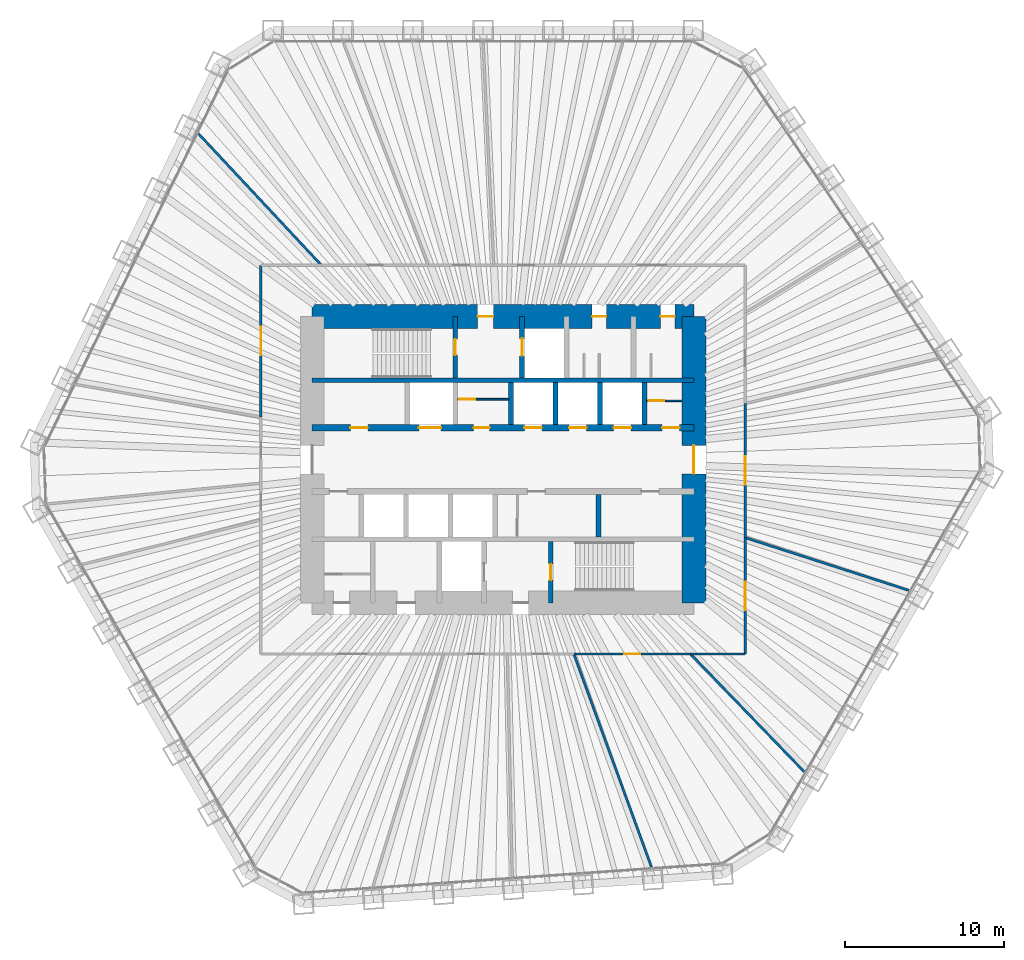
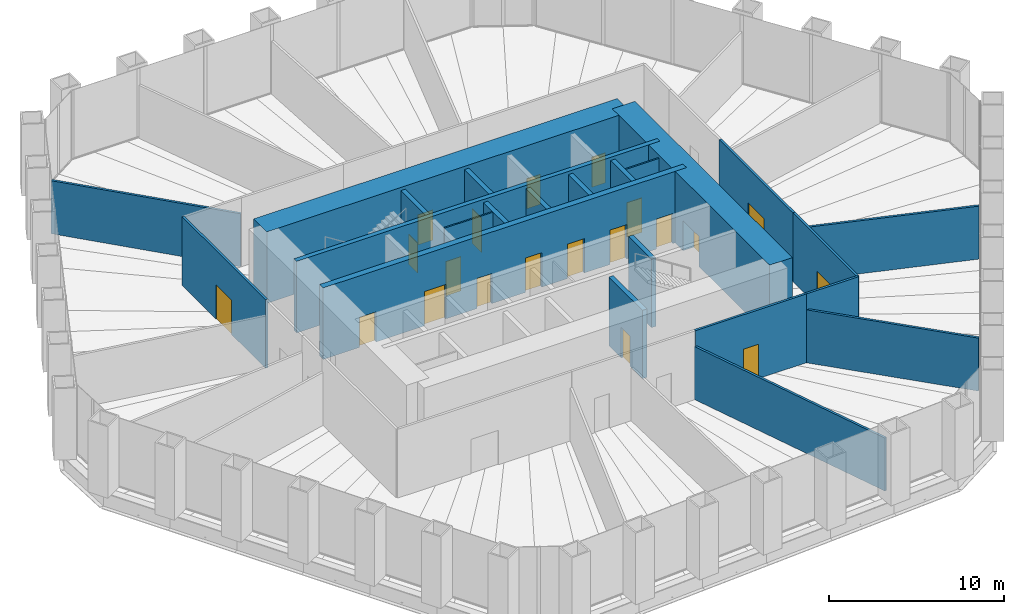
# One storey, part 11 of 13: 23 walls, 20 doors, 20 openings.
"""IFC4 building model written with IfcOpenShell, lengths in metres."""

from ifc_helpers import new_model, si_unit, direction, frame, frame_2d, origin, place, context, subcontext, project, spatial, rectangle, extrude, material, layer, layer_set, type_object, element, fill, save


model = new_model("IFC4")

# Units and contexts
model_context = context("Model", 3, precision=1e-05, world=origin(), true_north=direction((0.0, 1.0)))
body_context = subcontext(model_context, "Body", "Model", "MODEL_VIEW")
ifc_project = project(units=[si_unit("LENGTHUNIT", "METRE"), si_unit("AREAUNIT", "SQUARE_METRE"), si_unit("VOLUMEUNIT", "CUBIC_METRE"), si_unit("PLANEANGLEUNIT", "RADIAN"), si_unit("MASSUNIT", "GRAM", prefix="KILO")], contexts=[model_context])

# Site, building, storey
site_placement = place(None, origin())
site = spatial("IfcSite", under=ifc_project, at=site_placement, CompositionType="ELEMENT")
building_placement = place(site_placement, origin())
building = spatial("IfcBuilding", under=site, at=building_placement, Name="Qingtian Harvest Tower", CompositionType="ELEMENT")
storey_placement = place(building_placement, frame((0.0, 0.0, 27.0)))
storey = spatial("IfcBuildingStorey", under=building, at=storey_placement, Name="L05", CompositionType="ELEMENT", Elevation=27.0)

# Wall
ifc_material_1 = material(Name="Concrete fc' 70 MPa", Category="concrete")
ifc_layer_1 = layer(ifc_material_1, 0.300048828125)
ifc_layer_set_1 = layer_set([ifc_layer_1], Name="Core inner wall RC5 300")
wall_type_1 = type_object("IfcWallType", Name="Core inner wall RC5 300", PredefinedType="SHEAR", material=ifc_layer_set_1)
wall_1_placement = place(storey_placement, frame((-12.0, 5.0, 0.0), z_axis=(0.0, 0.0, 1.0), x_axis=(1.0, 0.0, 0.0)))
element("IfcWall", 1, at=wall_1_placement, inside=storey, type_object=wall_type_1, Name="Core wall IN5 L05", PredefinedType="SHEAR", context=body_context, shape_type="SweptSolid", body=[
    extrude(rectangle(XDim=24.0, YDim=0.300048828125, at=frame_2d((12.0, 0.0))), origin(), (0.0, 0.0, 1.0), 5.0),
])

# Wall, openings, doors
ifc_material_2 = material(Name="Concrete fc' 70 MPa", Category="concrete")
ifc_layer_2 = layer(ifc_material_2, 0.39990234375)
ifc_layer_set_2 = layer_set([ifc_layer_2], Name="Core inner web RC6 400")
wall_type_2 = type_object("IfcWallType", Name="Core inner web RC6 400", PredefinedType="SHEAR", material=ifc_layer_set_2)
wall_2_placement = place(storey_placement, frame((-12.0, 2.0, 0.0), z_axis=(0.0, 0.0, 1.0), x_axis=(1.0, 0.0, 0.0)))
wall_2 = element("IfcWall", 2, at=wall_2_placement, inside=storey, type_object=wall_type_2, Name="Core wall IN2 L05", PredefinedType="SHEAR", context=body_context, shape_type="SweptSolid", body=[
    extrude(rectangle(XDim=24.0, YDim=0.39990234375, at=frame_2d((12.0, 0.0))), origin(), (0.0, 0.0, 1.0), 5.0),
])
opening_1_placement = place(wall_2_placement, frame((2.39990234375, 0.0, 0.0)))
opening_1 = element("IfcOpeningElement", 3, at=opening_1_placement, cuts=wall_2, Name="Opening FD4", PredefinedType="OPENING", context=body_context, shape_type="SweptSolid", body=[
    extrude(rectangle(XDim=1.10009765625, YDim=2.10009765625, at=frame_2d((0.550048828125, 1.050048828125))), frame((0.0, 0.2099609375, 0.0), z_axis=(0.0, -1.0, 0.0), x_axis=(1.0, 0.0, 0.0)), (0.0, 0.0, 1.0), 0.419921875),
])
opening_2_placement = place(wall_2_placement, frame((22.0, 0.0, 0.0)))
opening_2 = element("IfcOpeningElement", 4, at=opening_2_placement, cuts=wall_2, Name="Opening FD4", PredefinedType="OPENING", context=body_context, shape_type="SweptSolid", body=[
    extrude(rectangle(XDim=1.10009765625, YDim=2.10009765625, at=frame_2d((0.550048828125, 1.050048828125))), frame((0.0, 0.2099609375, 0.0), z_axis=(0.0, -1.0, 0.0), x_axis=(1.0, 0.0, 0.0)), (0.0, 0.0, 1.0), 0.419921875),
])
opening_3_placement = place(wall_2_placement, frame((10.14990234375, 0.0, 0.0)))
opening_3 = element("IfcOpeningElement", 5, at=opening_3_placement, cuts=wall_2, Name="Opening FD1", PredefinedType="OPENING", context=body_context, shape_type="SweptSolid", body=[
    extrude(rectangle(XDim=1.0, YDim=2.10009765625, at=frame_2d((0.5, 1.050048828125))), frame((0.0, 0.2099609375, 0.0), z_axis=(0.0, -1.0, 0.0), x_axis=(1.0, 0.0, 0.0)), (0.0, 0.0, 1.0), 0.419921875),
])
opening_4_placement = place(wall_2_placement, frame((6.699951171875, 0.0, 0.0)))
opening_4 = element("IfcOpeningElement", 6, at=opening_4_placement, cuts=wall_2, Name="Opening LD2", PredefinedType="OPENING", context=body_context, shape_type="SweptSolid", body=[
    extrude(rectangle(XDim=1.39990234375, YDim=2.39990234375, at=frame_2d((0.699951171875, 1.199951171875))), frame((0.0, 0.2099609375, 0.0), z_axis=(0.0, -1.0, 0.0), x_axis=(1.0, 0.0, 0.0)), (0.0, 0.0, 1.0), 0.419921875),
])
opening_5_placement = place(wall_2_placement, frame((13.35009765625, 0.0, 0.0)))
opening_5 = element("IfcOpeningElement", 7, at=opening_5_placement, cuts=wall_2, Name="Opening LD1", PredefinedType="OPENING", context=body_context, shape_type="SweptSolid", body=[
    extrude(rectangle(XDim=1.10009765625, YDim=2.39990234375, at=frame_2d((0.550048828125, 1.199951171875))), frame((0.0, 0.2099609375, 0.0), z_axis=(0.0, -1.0, 0.0), x_axis=(1.0, 0.0, 0.0)), (0.0, 0.0, 1.0), 0.419921875),
])
opening_6_placement = place(wall_2_placement, frame((16.14990234375, 0.0, 0.0)))
opening_6 = element("IfcOpeningElement", 8, at=opening_6_placement, cuts=wall_2, Name="Opening LD1", PredefinedType="OPENING", context=body_context, shape_type="SweptSolid", body=[
    extrude(rectangle(XDim=1.10009765625, YDim=2.39990234375, at=frame_2d((0.550048828125, 1.199951171875))), frame((0.0, 0.2099609375, 0.0), z_axis=(0.0, -1.0, 0.0), x_axis=(1.0, 0.0, 0.0)), (0.0, 0.0, 1.0), 0.419921875),
])
opening_7_placement = place(wall_2_placement, frame((18.949951171875, 0.0, 0.0)))
opening_7 = element("IfcOpeningElement", 9, at=opening_7_placement, cuts=wall_2, Name="Opening LD1", PredefinedType="OPENING", context=body_context, shape_type="SweptSolid", body=[
    extrude(rectangle(XDim=1.10009765625, YDim=2.39990234375, at=frame_2d((0.550048828125, 1.199951171875))), frame((0.0, 0.2099609375, 0.0), z_axis=(0.0, -1.0, 0.0), x_axis=(1.0, 0.0, 0.0)), (0.0, 0.0, 1.0), 0.419921875),
])
ifc_material_3 = material(Name="Steel-faced door leaf", Category="steel")
door_type_1 = type_object("IfcDoorType", Name="Fire door FD1 single 1 HR", OperationType="SINGLE_SWING_LEFT", PredefinedType="DOOR", material=ifc_material_3)
door_1_placement = place(opening_3_placement, origin())
door_1 = element("IfcDoor", 10, at=door_1_placement, inside=storey, type_object=door_type_1, Name="STA door L05", OperationType="SINGLE_SWING_RIGHT", OverallHeight=2.10009765625, OverallWidth=1.0, PredefinedType="DOOR", context=body_context, shape_type="SweptSolid", body=[
    extrude(rectangle(XDim=1.0, YDim=2.10009765625, at=frame_2d((0.5, 1.050048828125))), frame((0.0, 0.02490234375, 0.0), z_axis=(0.0, -1.0, 0.0), x_axis=(1.0, 0.0, 0.0)), (0.0, 0.0, 1.0), 0.050048828125),
])
fill(opening_3, door_1)
ifc_material_4 = material(Name="Steel-faced door leaf", Category="steel")
door_type_2 = type_object("IfcDoorType", Name="Fire door FD4 single 2 HR", OperationType="SINGLE_SWING_LEFT", PredefinedType="DOOR", material=ifc_material_4)
door_2_placement = place(opening_1_placement, origin())
door_2 = element("IfcDoor", 11, at=door_2_placement, inside=storey, type_object=door_type_2, Name="RA door L05", OperationType="SINGLE_SWING_LEFT", OverallHeight=2.10009765625, OverallWidth=1.10009765625, PredefinedType="DOOR", context=body_context, shape_type="SweptSolid", body=[
    extrude(rectangle(XDim=1.10009765625, YDim=2.10009765625, at=frame_2d((0.550048828125, 1.050048828125))), frame((0.0, 0.02490234375, 0.0), z_axis=(0.0, -1.0, 0.0), x_axis=(1.0, 0.0, 0.0)), (0.0, 0.0, 1.0), 0.050048828125),
])
fill(opening_1, door_2)
door_3_placement = place(opening_2_placement, origin())
door_3 = element("IfcDoor", 12, at=door_3_placement, inside=storey, type_object=door_type_2, Name="AHU door L05", OperationType="SINGLE_SWING_LEFT", OverallHeight=2.10009765625, OverallWidth=1.10009765625, PredefinedType="DOOR", context=body_context, shape_type="SweptSolid", body=[
    extrude(rectangle(XDim=1.10009765625, YDim=2.10009765625, at=frame_2d((0.550048828125, 1.050048828125))), frame((0.0, 0.02490234375, 0.0), z_axis=(0.0, -1.0, 0.0), x_axis=(1.0, 0.0, 0.0)), (0.0, 0.0, 1.0), 0.050048828125),
])
fill(opening_2, door_3)
ifc_material_5 = material(Name="Stainless steel lift landing door", Category="steel")
door_type_3 = type_object("IfcDoorType", Name="Goods lift landing door LD2 1 HR", OperationType="DOUBLE_DOOR_SLIDING", PredefinedType="DOOR", material=ifc_material_5)
door_4_placement = place(opening_4_placement, origin())
door_4 = element("IfcDoor", 13, at=door_4_placement, inside=storey, type_object=door_type_3, Name="GL1 landing door L05", OperationType="DOUBLE_DOOR_SLIDING", OverallHeight=2.39990234375, OverallWidth=1.39990234375, PredefinedType="DOOR", context=body_context, shape_type="SweptSolid", body=[
    extrude(rectangle(XDim=1.39990234375, YDim=2.39990234375, at=frame_2d((0.699951171875, 1.199951171875))), frame((0.0, 0.02490234375, 0.0), z_axis=(0.0, -1.0, 0.0), x_axis=(1.0, 0.0, 0.0)), (0.0, 0.0, 1.0), 0.050048828125),
])
fill(opening_4, door_4)
ifc_material_6 = material(Name="Stainless steel lift landing door", Category="steel")
door_type_4 = type_object("IfcDoorType", Name="Lift landing door LD1 1 HR", OperationType="DOUBLE_DOOR_SLIDING", PredefinedType="DOOR", material=ifc_material_6)
door_5_placement = place(opening_5_placement, origin())
door_5 = element("IfcDoor", 14, at=door_5_placement, inside=storey, type_object=door_type_4, Name="PLA1 landing door L05", OperationType="DOUBLE_DOOR_SLIDING", OverallHeight=2.39990234375, OverallWidth=1.10009765625, PredefinedType="DOOR", context=body_context, shape_type="SweptSolid", body=[
    extrude(rectangle(XDim=1.10009765625, YDim=2.39990234375, at=frame_2d((0.550048828125, 1.199951171875))), frame((0.0, 0.02490234375, 0.0), z_axis=(0.0, -1.0, 0.0), x_axis=(1.0, 0.0, 0.0)), (0.0, 0.0, 1.0), 0.050048828125),
])
fill(opening_5, door_5)
door_6_placement = place(opening_6_placement, origin())
door_6 = element("IfcDoor", 15, at=door_6_placement, inside=storey, type_object=door_type_4, Name="PLA2 landing door L05", OperationType="DOUBLE_DOOR_SLIDING", OverallHeight=2.39990234375, OverallWidth=1.10009765625, PredefinedType="DOOR", context=body_context, shape_type="SweptSolid", body=[
    extrude(rectangle(XDim=1.10009765625, YDim=2.39990234375, at=frame_2d((0.550048828125, 1.199951171875))), frame((0.0, 0.02490234375, 0.0), z_axis=(0.0, -1.0, 0.0), x_axis=(1.0, 0.0, 0.0)), (0.0, 0.0, 1.0), 0.050048828125),
])
fill(opening_6, door_6)
door_7_placement = place(opening_7_placement, origin())
door_7 = element("IfcDoor", 16, at=door_7_placement, inside=storey, type_object=door_type_4, Name="PLA3 landing door L05", OperationType="DOUBLE_DOOR_SLIDING", OverallHeight=2.39990234375, OverallWidth=1.10009765625, PredefinedType="DOOR", context=body_context, shape_type="SweptSolid", body=[
    extrude(rectangle(XDim=1.10009765625, YDim=2.39990234375, at=frame_2d((0.550048828125, 1.199951171875))), frame((0.0, 0.02490234375, 0.0), z_axis=(0.0, -1.0, 0.0), x_axis=(1.0, 0.0, 0.0)), (0.0, 0.0, 1.0), 0.050048828125),
])
fill(opening_7, door_7)

# Wall, opening, door
ifc_material_7 = material(Name="Precast concrete shaft panel", Category="concrete")
ifc_layer_3 = layer(ifc_material_7, 0.300048828125)
ifc_layer_set_3 = layer_set([ifc_layer_3], Name="Core shaft partition SW1 300")
wall_type_3 = type_object("IfcWallType", Name="Core shaft partition SW1 300", PredefinedType="PARTITIONING", material=ifc_layer_set_3)
wall_3_placement = place(storey_placement, frame((-3.0, 5.14990234375, 0.0), z_axis=(0.0, 0.0, 1.0), x_axis=(0.0, 1.0, 0.0)))
wall_3 = element("IfcWall", 17, at=wall_3_placement, inside=storey, type_object=wall_type_3, Name="Core shaft partition XN1 L05", PredefinedType="PARTITIONING", context=body_context, shape_type="SweptSolid", body=[
    extrude(rectangle(XDim=3.85009765625, YDim=0.300048828125, at=frame_2d((1.925048828125, 0.0))), origin(), (0.0, 0.0, 1.0), 4.780029296875),
])
opening_8_placement = place(wall_3_placement, frame((1.425048828125, 0.0, 0.0)))
opening_8 = element("IfcOpeningElement", 18, at=opening_8_placement, cuts=wall_3, Name="Opening FD1", PredefinedType="OPENING", context=body_context, shape_type="SweptSolid", body=[
    extrude(rectangle(XDim=1.0, YDim=2.10009765625, at=frame_2d((0.5, 1.050048828125))), frame((0.0, 0.159912109375, 0.0), z_axis=(0.0, -1.0, 0.0), x_axis=(1.0, 0.0, 0.0)), (0.0, 0.0, 1.0), 0.320068359375),
])
door_8_placement = place(opening_8_placement, origin())
door_8 = element("IfcDoor", 19, at=door_8_placement, inside=storey, type_object=door_type_1, Name="S1 door L05", OperationType="SINGLE_SWING_LEFT", OverallHeight=2.10009765625, OverallWidth=1.0, PredefinedType="DOOR", context=body_context, shape_type="SweptSolid", body=[
    extrude(rectangle(XDim=1.0, YDim=2.10009765625, at=frame_2d((0.5, 1.050048828125))), frame((0.0, 0.02490234375, 0.0), z_axis=(0.0, -1.0, 0.0), x_axis=(1.0, 0.0, 0.0)), (0.0, 0.0, 1.0), 0.050048828125),
])
fill(opening_8, door_8)

wall_4_placement = place(storey_placement, frame((1.199951171875, 5.14990234375, 0.0), z_axis=(0.0, 0.0, 1.0), x_axis=(0.0, 1.0, 0.0)))
wall_4 = element("IfcWall", 20, at=wall_4_placement, inside=storey, type_object=wall_type_3, Name="Core shaft partition XN2 L05", PredefinedType="PARTITIONING", context=body_context, shape_type="SweptSolid", body=[
    extrude(rectangle(XDim=3.85009765625, YDim=0.300048828125, at=frame_2d((1.925048828125, 0.0))), origin(), (0.0, 0.0, 1.0), 4.780029296875),
])
opening_9_placement = place(wall_4_placement, frame((1.375, 0.0, 0.0)))
opening_9 = element("IfcOpeningElement", 21, at=opening_9_placement, cuts=wall_4, Name="Opening LD1", PredefinedType="OPENING", context=body_context, shape_type="SweptSolid", body=[
    extrude(rectangle(XDim=1.10009765625, YDim=2.39990234375, at=frame_2d((0.550048828125, 1.199951171875))), frame((0.0, 0.159912109375, 0.0), z_axis=(0.0, -1.0, 0.0), x_axis=(1.0, 0.0, 0.0)), (0.0, 0.0, 1.0), 0.320068359375),
])
door_9_placement = place(opening_9_placement, origin())
door_9 = element("IfcDoor", 22, at=door_9_placement, inside=storey, type_object=door_type_4, Name="FL1 landing door L05", OperationType="DOUBLE_DOOR_SLIDING", OverallHeight=2.39990234375, OverallWidth=1.10009765625, PredefinedType="DOOR", context=body_context, shape_type="SweptSolid", body=[
    extrude(rectangle(XDim=1.10009765625, YDim=2.39990234375, at=frame_2d((0.550048828125, 1.199951171875))), frame((0.0, 0.02490234375, 0.0), z_axis=(0.0, -1.0, 0.0), x_axis=(1.0, 0.0, 0.0)), (0.0, 0.0, 1.0), 0.050048828125),
])
fill(opening_9, door_9)

# Walls
for number, where, z_axis, x_axis, name in (
    (23, (0.5, 2.199951171875, 0.0), (0.0, 0.0, 1.0), (0.0, 1.0, 0.0), "Core shaft partition XA3 L05"),
    (24, (3.300048828125, 2.199951171875, 0.0), (0.0, 0.0, 1.0), (0.0, 1.0, 0.0), "Core shaft partition XA4 L05"),
    (25, (6.10009765625, 2.199951171875, 0.0), (0.0, 0.0, 1.0), (0.0, 1.0, 0.0), "Core shaft partition XA5 L05"),
    (26, (8.89990234375, 2.199951171875, 0.0), (0.0, 0.0, 1.0), (0.0, 1.0, 0.0), "Core shaft partition XA6 L05"),
    (27, (6.0, -4.85009765625, 0.0), (0.0, 0.0, 1.0), (0.0, 1.0, 0.0), "Core shaft partition XB5 L05"),
):
    element("IfcWall", number, at=place(storey_placement, frame(where, z_axis=z_axis, x_axis=x_axis)), inside=storey, type_object=wall_type_3, Name=name, PredefinedType="PARTITIONING", context=body_context, shape_type="SweptSolid", body=[
        extrude(rectangle(XDim=2.650146484375, YDim=0.300048828125, at=frame_2d((1.3251953125, 0.0))), origin(), (0.0, 0.0, 1.0), 4.780029296875),
    ])

# Wall, opening, door
wall_5_placement = place(storey_placement, frame((3.0, -9.0, 0.0), z_axis=(0.0, 0.0, 1.0), x_axis=(0.0, 1.0, 0.0)))
wall_5 = element("IfcWall", 28, at=wall_5_placement, inside=storey, type_object=wall_type_3, Name="Core shaft partition XS4 L05", PredefinedType="PARTITIONING", context=body_context, shape_type="SweptSolid", body=[
    extrude(rectangle(XDim=3.85009765625, YDim=0.300048828125, at=frame_2d((1.925048828125, 0.0))), origin(), (0.0, 0.0, 1.0), 4.780029296875),
])
opening_10_placement = place(wall_5_placement, frame((1.425048828125, 0.0, 0.0)))
opening_10 = element("IfcOpeningElement", 29, at=opening_10_placement, cuts=wall_5, Name="Opening FD1", PredefinedType="OPENING", context=body_context, shape_type="SweptSolid", body=[
    extrude(rectangle(XDim=1.0, YDim=2.10009765625, at=frame_2d((0.5, 1.050048828125))), frame((0.0, 0.159912109375, 0.0), z_axis=(0.0, -1.0, 0.0), x_axis=(1.0, 0.0, 0.0)), (0.0, 0.0, 1.0), 0.320068359375),
])
door_10_placement = place(opening_10_placement, origin())
door_10 = element("IfcDoor", 30, at=door_10_placement, inside=storey, type_object=door_type_1, Name="S2 door L05", OperationType="SINGLE_SWING_RIGHT", OverallHeight=2.10009765625, OverallWidth=1.0, PredefinedType="DOOR", context=body_context, shape_type="SweptSolid", body=[
    extrude(rectangle(XDim=1.0, YDim=2.10009765625, at=frame_2d((0.5, 1.050048828125))), frame((0.0, 0.02490234375, 0.0), z_axis=(0.0, -1.0, 0.0), x_axis=(1.0, 0.0, 0.0)), (0.0, 0.0, 1.0), 0.050048828125),
])
fill(opening_10, door_10)

# Wall, openings, doors
ifc_material_8 = material(Name="Concrete fc' 70 MPa", Category="concrete")
ifc_layer_4 = layer(ifc_material_8, 1.5)
ifc_layer_set_4 = layer_set([ifc_layer_4], Name="Core wall RC1 1500")
wall_type_4 = type_object("IfcWallType", Name="Core wall RC1 1500", PredefinedType="SHEAR", material=ifc_layer_set_4)
wall_6_placement = place(storey_placement, frame((-12.0, 9.0, 0.0), z_axis=(0.0, 0.0, 1.0), x_axis=(1.0, 0.0, 0.0)))
wall_6 = element("IfcWall", 31, at=wall_6_placement, inside=storey, type_object=wall_type_4, Name="Core wall CN L05", PredefinedType="SHEAR", context=body_context, shape_type="SweptSolid", body=[
    extrude(rectangle(XDim=24.0, YDim=1.5, at=frame_2d((12.0, 0.0))), origin(), (0.0, 0.0, 1.0), 5.0),
])
opening_11_placement = place(wall_6_placement, frame((10.39990234375, 0.0, 0.0)))
opening_11 = element("IfcOpeningElement", 32, at=opening_11_placement, cuts=wall_6, Name="Opening FD1", PredefinedType="OPENING", context=body_context, shape_type="SweptSolid", body=[
    extrude(rectangle(XDim=1.0, YDim=2.10009765625, at=frame_2d((0.5, 1.050048828125))), frame((0.0, 0.760009765625, 0.0), z_axis=(0.0, -1.0, 0.0), x_axis=(1.0, 0.0, 0.0)), (0.0, 0.0, 1.0), 1.52001953125),
])
opening_12_placement = place(wall_6_placement, frame((17.60009765625, 0.0, 0.0)))
opening_12 = element("IfcOpeningElement", 33, at=opening_12_placement, cuts=wall_6, Name="Opening D1", PredefinedType="OPENING", context=body_context, shape_type="SweptSolid", body=[
    extrude(rectangle(XDim=0.89990234375, YDim=2.10009765625, at=frame_2d((0.449951171875, 1.050048828125))), frame((0.0, 0.760009765625, 0.0), z_axis=(0.0, -1.0, 0.0), x_axis=(1.0, 0.0, 0.0)), (0.0, 0.0, 1.0), 1.52001953125),
])
opening_13_placement = place(wall_6_placement, frame((21.89990234375, 0.0, 0.0)))
opening_13 = element("IfcOpeningElement", 34, at=opening_13_placement, cuts=wall_6, Name="Opening D1", PredefinedType="OPENING", context=body_context, shape_type="SweptSolid", body=[
    extrude(rectangle(XDim=0.89990234375, YDim=2.10009765625, at=frame_2d((0.449951171875, 1.050048828125))), frame((0.0, 0.760009765625, 0.0), z_axis=(0.0, -1.0, 0.0), x_axis=(1.0, 0.0, 0.0)), (0.0, 0.0, 1.0), 1.52001953125),
])
door_11_placement = place(opening_11_placement, origin())
door_11 = element("IfcDoor", 35, at=door_11_placement, inside=storey, type_object=door_type_1, Name="V1 door L05", OperationType="SINGLE_SWING_LEFT", OverallHeight=2.10009765625, OverallWidth=1.0, PredefinedType="DOOR", context=body_context, shape_type="SweptSolid", body=[
    extrude(rectangle(XDim=1.0, YDim=2.10009765625, at=frame_2d((0.5, 1.050048828125))), frame((0.0, 0.02490234375, 0.0), z_axis=(0.0, -1.0, 0.0), x_axis=(1.0, 0.0, 0.0)), (0.0, 0.0, 1.0), 0.050048828125),
])
fill(opening_11, door_11)
ifc_material_9 = material(Name="Laminated timber door leaf", Category="wood")
door_type_5 = type_object("IfcDoorType", Name="Toilet door D1 single", OperationType="SINGLE_SWING_LEFT", PredefinedType="DOOR", material=ifc_material_9)
door_12_placement = place(opening_12_placement, origin())
door_12 = element("IfcDoor", 36, at=door_12_placement, inside=storey, type_object=door_type_5, Name="WCM door L05", OperationType="SINGLE_SWING_RIGHT", OverallHeight=2.10009765625, OverallWidth=0.89990234375, PredefinedType="DOOR", context=body_context, shape_type="SweptSolid", body=[
    extrude(rectangle(XDim=0.89990234375, YDim=2.10009765625, at=frame_2d((0.449951171875, 1.050048828125))), frame((0.0, 0.02490234375, 0.0), z_axis=(0.0, -1.0, 0.0), x_axis=(1.0, 0.0, 0.0)), (0.0, 0.0, 1.0), 0.050048828125),
])
fill(opening_12, door_12)
door_13_placement = place(opening_13_placement, origin())
door_13 = element("IfcDoor", 37, at=door_13_placement, inside=storey, type_object=door_type_5, Name="WCF door L05", OperationType="SINGLE_SWING_RIGHT", OverallHeight=2.10009765625, OverallWidth=0.89990234375, PredefinedType="DOOR", context=body_context, shape_type="SweptSolid", body=[
    extrude(rectangle(XDim=0.89990234375, YDim=2.10009765625, at=frame_2d((0.449951171875, 1.050048828125))), frame((0.0, 0.02490234375, 0.0), z_axis=(0.0, -1.0, 0.0), x_axis=(1.0, 0.0, 0.0)), (0.0, 0.0, 1.0), 0.050048828125),
])
fill(opening_13, door_13)

# Wall, opening, door
wall_7_placement = place(storey_placement, frame((12.0, -9.0, 0.0), z_axis=(0.0, 0.0, 1.0), x_axis=(0.0, 1.0, 0.0)))
wall_7 = element("IfcWall", 38, at=wall_7_placement, inside=storey, type_object=wall_type_4, Name="Core wall CE L05", PredefinedType="SHEAR", context=body_context, shape_type="SweptSolid", body=[
    extrude(rectangle(XDim=18.0, YDim=1.5, at=frame_2d((9.0, 0.0))), origin(), (0.0, 0.0, 1.0), 5.0),
])
opening_14_placement = place(wall_7_placement, frame((8.10009765625, 0.0, 0.0)))
opening_14 = element("IfcOpeningElement", 39, at=opening_14_placement, cuts=wall_7, Name="Opening FD2", PredefinedType="OPENING", context=body_context, shape_type="SweptSolid", body=[
    extrude(rectangle(XDim=1.800048828125, YDim=2.10009765625, at=frame_2d((0.89990234375, 1.050048828125))), frame((0.0, 0.760009765625, 0.0), z_axis=(0.0, -1.0, 0.0), x_axis=(1.0, 0.0, 0.0)), (0.0, 0.0, 1.0), 1.52001953125),
])
ifc_material_10 = material(Name="Steel-faced door leaf", Category="steel")
door_type_6 = type_object("IfcDoorType", Name="Fire door FD2 double 1 HR", OperationType="DOUBLE_DOOR_DOUBLE_SWING", PredefinedType="DOOR", material=ifc_material_10)
door_14_placement = place(opening_14_placement, origin())
door_14 = element("IfcDoor", 40, at=door_14_placement, inside=storey, type_object=door_type_6, Name="LOBBY-E door L05", OperationType="DOUBLE_DOOR_DOUBLE_SWING", OverallHeight=2.10009765625, OverallWidth=1.800048828125, PredefinedType="DOOR", context=body_context, shape_type="SweptSolid", body=[
    extrude(rectangle(XDim=1.800048828125, YDim=2.10009765625, at=frame_2d((0.89990234375, 1.050048828125))), frame((0.0, 0.02490234375, 0.0), z_axis=(0.0, -1.0, 0.0), x_axis=(1.0, 0.0, 0.0)), (0.0, 0.0, 1.0), 0.050048828125),
])
fill(opening_14, door_14)

ifc_material_11 = material(Name="Gypsum board on steel studs", Category="steel")
ifc_layer_5 = layer(ifc_material_11, 0.14990234375)
ifc_layer_set_5 = layer_set([ifc_layer_5], Name="Partition PT1 150")
wall_type_5 = type_object("IfcWallType", Name="Partition PT1 150", PredefinedType="PARTITIONING", material=ifc_layer_set_5)
wall_8_placement = place(storey_placement, frame((15.22509765625, 3.5302734375, 0.0), z_axis=(0.0, 0.0, 1.0), x_axis=(0.0, -1.0, 0.0)))
wall_8 = element("IfcWall", 41, at=wall_8_placement, inside=storey, type_object=wall_type_5, Name="Germination room wall L05", PredefinedType="PARTITIONING", context=body_context, shape_type="SweptSolid", body=[
    extrude(rectangle(XDim=8.43310546875, YDim=0.14990234375, at=frame_2d((4.216552734375, 0.0))), origin(), (0.0, 0.0, 1.0), 4.800048828125),
])
opening_15_placement = place(wall_8_placement, frame((3.316650390625, 0.0, 0.0)))
opening_15 = element("IfcOpeningElement", 42, at=opening_15_placement, cuts=wall_8, Name="Opening D3", PredefinedType="OPENING", context=body_context, shape_type="SweptSolid", body=[
    extrude(rectangle(XDim=1.800048828125, YDim=2.39990234375, at=frame_2d((0.89990234375, 1.199951171875))), frame((0.0, 0.0849609375, 0.0), z_axis=(0.0, -1.0, 0.0), x_axis=(1.0, 0.0, 0.0)), (0.0, 0.0, 1.0), 0.169921875),
])
ifc_material_12 = material(Name="Laminated timber door leaf", Category="wood")
door_type_7 = type_object("IfcDoorType", Name="Room door D3 double", OperationType="DOUBLE_DOOR_DOUBLE_SWING", PredefinedType="DOOR", material=ifc_material_12)
door_15_placement = place(opening_15_placement, origin())
door_15 = element("IfcDoor", 43, at=door_15_placement, inside=storey, type_object=door_type_7, Name="Germination room door L05", OperationType="DOUBLE_DOOR_DOUBLE_SWING", OverallHeight=2.39990234375, OverallWidth=1.800048828125, PredefinedType="DOOR", context=body_context, shape_type="SweptSolid", body=[
    extrude(rectangle(XDim=1.800048828125, YDim=2.39990234375, at=frame_2d((0.89990234375, 1.199951171875))), frame((0.0, 0.02490234375, 0.0), z_axis=(0.0, -1.0, 0.0), x_axis=(1.0, 0.0, 0.0)), (0.0, 0.0, 1.0), 0.050048828125),
])
fill(opening_15, door_15)

# Wall
wall_9_placement = place(storey_placement, frame((25.512451171875, -8.215576171875, 0.0), z_axis=(0.0, 0.0, 1.0), x_axis=(-0.95186413264, 0.306520265225, 0.0)))
element("IfcWall", 44, at=wall_9_placement, inside=storey, type_object=wall_type_5, Name="Seedling nursery wall L05", PredefinedType="PARTITIONING", context=body_context, shape_type="SweptSolid", body=[
    extrude(rectangle(XDim=10.8076171875, YDim=0.14990234375, at=frame_2d((5.40380859375, 0.0))), origin(), (0.0, 0.0, 1.0), 3.699951171875),
])

# Wall, opening, door
wall_10_placement = place(storey_placement, frame((15.22509765625, -4.90283203125, 0.0), z_axis=(0.0, 0.0, 1.0), x_axis=(0.0, -1.0, 0.0)))
wall_10 = element("IfcWall", 45, at=wall_10_placement, inside=storey, type_object=wall_type_5, Name="Seedling nursery wall L05", PredefinedType="PARTITIONING", context=body_context, shape_type="SweptSolid", body=[
    extrude(rectangle(XDim=7.322265625, YDim=0.14990234375, at=frame_2d((3.6611328125, 0.0))), origin(), (0.0, 0.0, 1.0), 4.800048828125),
])
opening_16_placement = place(wall_10_placement, frame((2.760986328125, 0.0, 0.0)))
opening_16 = element("IfcOpeningElement", 46, at=opening_16_placement, cuts=wall_10, Name="Opening D3", PredefinedType="OPENING", context=body_context, shape_type="SweptSolid", body=[
    extrude(rectangle(XDim=1.800048828125, YDim=2.39990234375, at=frame_2d((0.89990234375, 1.199951171875))), frame((0.0, 0.0849609375, 0.0), z_axis=(0.0, -1.0, 0.0), x_axis=(1.0, 0.0, 0.0)), (0.0, 0.0, 1.0), 0.169921875),
])
door_16_placement = place(opening_16_placement, origin())
door_16 = element("IfcDoor", 47, at=door_16_placement, inside=storey, type_object=door_type_7, Name="Seedling nursery door L05", OperationType="DOUBLE_DOOR_DOUBLE_SWING", OverallHeight=2.39990234375, OverallWidth=1.800048828125, PredefinedType="DOOR", context=body_context, shape_type="SweptSolid", body=[
    extrude(rectangle(XDim=1.800048828125, YDim=2.39990234375, at=frame_2d((0.89990234375, 1.199951171875))), frame((0.0, 0.02490234375, 0.0), z_axis=(0.0, -1.0, 0.0), x_axis=(1.0, 0.0, 0.0)), (0.0, 0.0, 1.0), 0.050048828125),
])
fill(opening_16, door_16)

# Walls
wall_11_placement = place(storey_placement, frame((15.22509765625, -12.22509765625, 0.0), z_axis=(0.0, 0.0, 1.0), x_axis=(-1.0, 0.0, 0.0)))
element("IfcWall", 48, at=wall_11_placement, inside=storey, type_object=wall_type_5, Name="Seedling nursery wall L05", PredefinedType="PARTITIONING", context=body_context, shape_type="SweptSolid", body=[
    extrude(rectangle(XDim=3.427978515625, YDim=0.14990234375, at=frame_2d((1.7138671875, 0.0))), origin(), (0.0, 0.0, 1.0), 4.800048828125),
])
wall_12_placement = place(storey_placement, frame((18.93115234375, -19.617919921875, 0.0), z_axis=(0.0, 0.0, 1.0), x_axis=(-0.694399830455, 0.719589379761, 0.0)))
element("IfcWall", 49, at=wall_12_placement, inside=storey, type_object=wall_type_5, Name="Propagation room wall L05", PredefinedType="PARTITIONING", context=body_context, shape_type="SweptSolid", body=[
    extrude(rectangle(XDim=10.273681640625, YDim=0.14990234375, at=frame_2d((5.13671875, 0.0))), origin(), (0.0, 0.0, 1.0), 3.699951171875),
])

# Wall, opening, door
wall_13_placement = place(storey_placement, frame((11.797119140625, -12.22509765625, 0.0), z_axis=(0.0, 0.0, 1.0), x_axis=(-1.0, 0.0, 0.0)))
wall_13 = element("IfcWall", 50, at=wall_13_placement, inside=storey, type_object=wall_type_5, Name="Propagation room wall L05", PredefinedType="PARTITIONING", context=body_context, shape_type="SweptSolid", body=[
    extrude(rectangle(XDim=7.342529296875, YDim=0.14990234375, at=frame_2d((3.67138671875, 0.0))), origin(), (0.0, 0.0, 1.0), 4.800048828125),
])
opening_17_placement = place(wall_13_placement, frame((3.17138671875, 0.0, 0.0)))
opening_17 = element("IfcOpeningElement", 51, at=opening_17_placement, cuts=wall_13, Name="Opening D2", PredefinedType="OPENING", context=body_context, shape_type="SweptSolid", body=[
    extrude(rectangle(XDim=1.0, YDim=2.39990234375, at=frame_2d((0.5, 1.199951171875))), frame((0.0, 0.0849609375, 0.0), z_axis=(0.0, -1.0, 0.0), x_axis=(1.0, 0.0, 0.0)), (0.0, 0.0, 1.0), 0.169921875),
])
ifc_material_13 = material(Name="Laminated timber door leaf", Category="wood")
door_type_8 = type_object("IfcDoorType", Name="Room door D2 single", OperationType="SINGLE_SWING_LEFT", PredefinedType="DOOR", material=ifc_material_13)
door_17_placement = place(opening_17_placement, origin())
door_17 = element("IfcDoor", 52, at=door_17_placement, inside=storey, type_object=door_type_8, Name="Propagation room door L05", OperationType="SINGLE_SWING_RIGHT", OverallHeight=2.39990234375, OverallWidth=1.0, PredefinedType="DOOR", context=body_context, shape_type="SweptSolid", body=[
    extrude(rectangle(XDim=1.0, YDim=2.39990234375, at=frame_2d((0.5, 1.199951171875))), frame((0.0, 0.02490234375, 0.0), z_axis=(0.0, -1.0, 0.0), x_axis=(1.0, 0.0, 0.0)), (0.0, 0.0, 1.0), 0.050048828125),
])
fill(opening_17, door_17)

# Wall
wall_14_placement = place(storey_placement, frame((9.33349609375, -25.615234375, 0.0), z_axis=(0.0, 0.0, 1.0), x_axis=(-0.342348208267, 0.939573150051, 0.0)))
element("IfcWall", 53, at=wall_14_placement, inside=storey, type_object=wall_type_5, Name="Propagation room wall L05", PredefinedType="PARTITIONING", context=body_context, shape_type="SweptSolid", body=[
    extrude(rectangle(XDim=14.251220703125, YDim=0.14990234375, at=frame_2d((7.12548828125, 0.0))), origin(), (0.0, 0.0, 1.0), 3.699951171875),
])

# Wall, opening, door
wall_15_placement = place(storey_placement, frame((-15.22509765625, 2.678955078125, 0.0), z_axis=(0.0, 0.0, 1.0), x_axis=(0.0, 1.0, 0.0)))
wall_15 = element("IfcWall", 54, at=wall_15_placement, inside=storey, type_object=wall_type_5, Name="Propagation room wall L05", PredefinedType="PARTITIONING", context=body_context, shape_type="SweptSolid", body=[
    extrude(rectangle(XDim=9.546142578125, YDim=0.14990234375, at=frame_2d((4.77294921875, 0.0))), origin(), (0.0, 0.0, 1.0), 4.800048828125),
])
opening_18_placement = place(wall_15_placement, frame((3.873046875, 0.0, 0.0)))
opening_18 = element("IfcOpeningElement", 55, at=opening_18_placement, cuts=wall_15, Name="Opening D3", PredefinedType="OPENING", context=body_context, shape_type="SweptSolid", body=[
    extrude(rectangle(XDim=1.800048828125, YDim=2.39990234375, at=frame_2d((0.89990234375, 1.199951171875))), frame((0.0, 0.0849609375, 0.0), z_axis=(0.0, -1.0, 0.0), x_axis=(1.0, 0.0, 0.0)), (0.0, 0.0, 1.0), 0.169921875),
])
door_18_placement = place(opening_18_placement, origin())
door_18 = element("IfcDoor", 56, at=door_18_placement, inside=storey, type_object=door_type_7, Name="Propagation room door L05", OperationType="DOUBLE_DOOR_DOUBLE_SWING", OverallHeight=2.39990234375, OverallWidth=1.800048828125, PredefinedType="DOOR", context=body_context, shape_type="SweptSolid", body=[
    extrude(rectangle(XDim=1.800048828125, YDim=2.39990234375, at=frame_2d((0.89990234375, 1.199951171875))), frame((0.0, 0.02490234375, 0.0), z_axis=(0.0, -1.0, 0.0), x_axis=(1.0, 0.0, 0.0)), (0.0, 0.0, 1.0), 0.050048828125),
])
fill(opening_18, door_18)

# Wall
wall_16_placement = place(storey_placement, frame((-19.156982421875, 20.504150390625, 0.0), z_axis=(0.0, 0.0, 1.0), x_axis=(0.682695116082, -0.730703345057, 0.0)))
element("IfcWall", 57, at=wall_16_placement, inside=storey, type_object=wall_type_5, Name="Quality lab wall L05", PredefinedType="PARTITIONING", context=body_context, shape_type="SweptSolid", body=[
    extrude(rectangle(XDim=11.330322265625, YDim=0.14990234375, at=frame_2d((5.6650390625, 0.0))), origin(), (0.0, 0.0, 1.0), 3.699951171875),
])

# Wall, opening, door
ifc_material_14 = material(Name="Concrete block partition", Category="concrete")
ifc_layer_6 = layer(ifc_material_14, 0.10009765625)
ifc_layer_set_6 = layer_set([ifc_layer_6], Name="Store partition PT3 100")
wall_type_6 = type_object("IfcWallType", Name="Store partition PT3 100", PredefinedType="PARTITIONING", material=ifc_layer_set_6)
wall_17_placement = place(storey_placement, frame((-2.85009765625, 3.800048828125, 0.0), z_axis=(0.0, 0.0, 1.0), x_axis=(1.0, 0.0, 0.0)))
wall_17 = element("IfcWall", 58, at=wall_17_placement, inside=storey, type_object=wall_type_6, Name="Seed store wall L05", PredefinedType="PARTITIONING", context=body_context, shape_type="SweptSolid", body=[
    extrude(rectangle(XDim=3.2001953125, YDim=0.10009765625, at=frame_2d((1.60009765625, 0.0))), origin(), (0.0, 0.0, 1.0), 4.780029296875),
])
opening_19_placement = place(wall_17_placement, frame((0.10009765625, 0.0, 0.0)))
opening_19 = element("IfcOpeningElement", 59, at=opening_19_placement, cuts=wall_17, Name="Opening D2", PredefinedType="OPENING", context=body_context, shape_type="SweptSolid", body=[
    extrude(rectangle(XDim=1.0, YDim=2.39990234375, at=frame_2d((0.5, 1.199951171875))), frame((0.0, 0.06005859375, 0.0), z_axis=(0.0, -1.0, 0.0), x_axis=(1.0, 0.0, 0.0)), (0.0, 0.0, 1.0), 0.1201171875),
])
door_19_placement = place(opening_19_placement, origin())
door_19 = element("IfcDoor", 60, at=door_19_placement, inside=storey, type_object=door_type_8, Name="Seed store door L05", OperationType="SINGLE_SWING_RIGHT", OverallHeight=2.39990234375, OverallWidth=1.0, PredefinedType="DOOR", context=body_context, shape_type="SweptSolid", body=[
    extrude(rectangle(XDim=1.0, YDim=2.39990234375, at=frame_2d((0.5, 1.199951171875))), frame((0.0, 0.02490234375, 0.0), z_axis=(0.0, -1.0, 0.0), x_axis=(1.0, 0.0, 0.0)), (0.0, 0.0, 1.0), 0.050048828125),
])
fill(opening_19, door_19)

wall_18_placement = place(storey_placement, frame((9.050048828125, 3.699951171875, 0.0), z_axis=(0.0, 0.0, 1.0), x_axis=(1.0, 0.0, 0.0)))
wall_18 = element("IfcWall", 61, at=wall_18_placement, inside=storey, type_object=wall_type_6, Name="Filter plant room wall L05", PredefinedType="PARTITIONING", context=body_context, shape_type="SweptSolid", body=[
    extrude(rectangle(XDim=2.199951171875, YDim=0.10009765625, at=frame_2d((1.10009765625, 0.0))), origin(), (0.0, 0.0, 1.0), 4.780029296875),
])
opening_20_placement = place(wall_18_placement, frame((0.10009765625, 0.0, 0.0)))
opening_20 = element("IfcOpeningElement", 62, at=opening_20_placement, cuts=wall_18, Name="Opening D2", PredefinedType="OPENING", context=body_context, shape_type="SweptSolid", body=[
    extrude(rectangle(XDim=1.0, YDim=2.39990234375, at=frame_2d((0.5, 1.199951171875))), frame((0.0, 0.06005859375, 0.0), z_axis=(0.0, -1.0, 0.0), x_axis=(1.0, 0.0, 0.0)), (0.0, 0.0, 1.0), 0.1201171875),
])
door_20_placement = place(opening_20_placement, origin())
door_20 = element("IfcDoor", 63, at=door_20_placement, inside=storey, type_object=door_type_8, Name="Filter plant room door L05", OperationType="SINGLE_SWING_LEFT", OverallHeight=2.39990234375, OverallWidth=1.0, PredefinedType="DOOR", context=body_context, shape_type="SweptSolid", body=[
    extrude(rectangle(XDim=1.0, YDim=2.39990234375, at=frame_2d((0.5, 1.199951171875))), frame((0.0, 0.02490234375, 0.0), z_axis=(0.0, -1.0, 0.0), x_axis=(1.0, 0.0, 0.0)), (0.0, 0.0, 1.0), 0.050048828125),
])
fill(opening_20, door_20)

save(model, "model.ifc")
